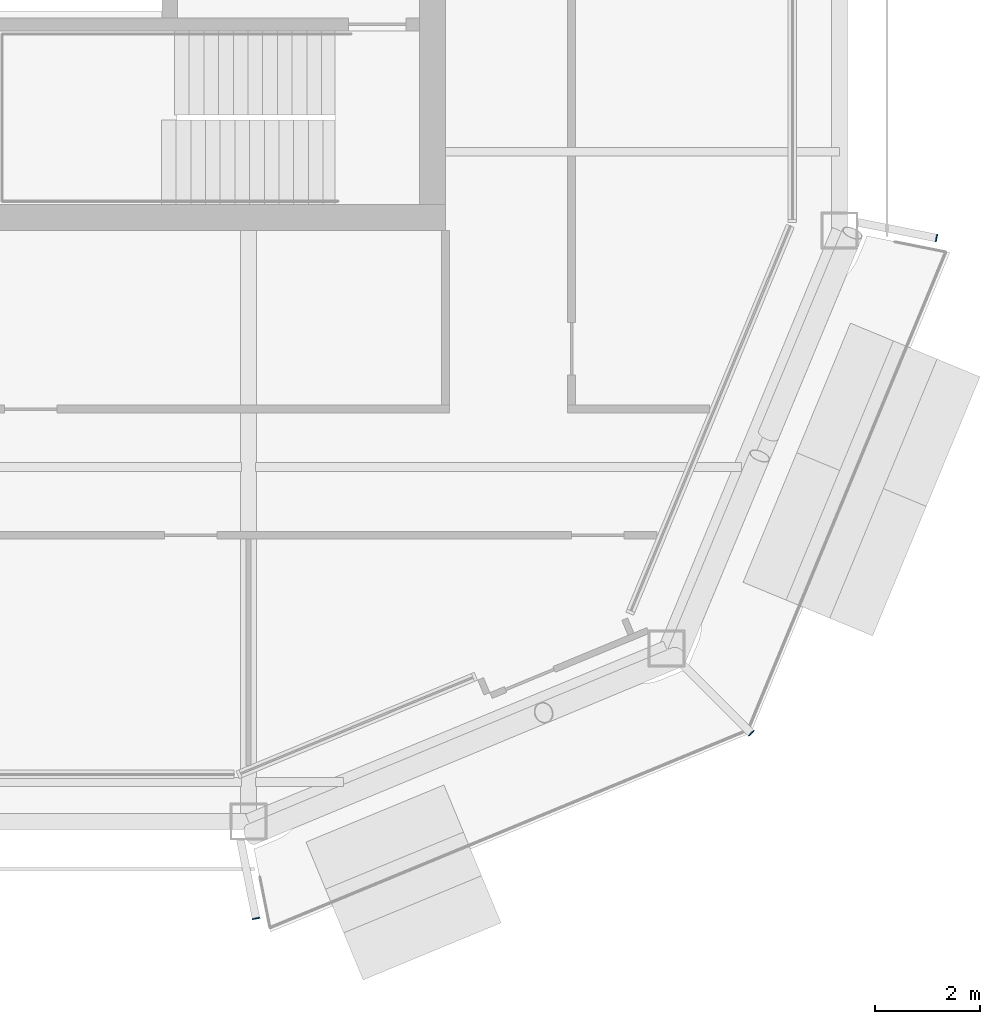
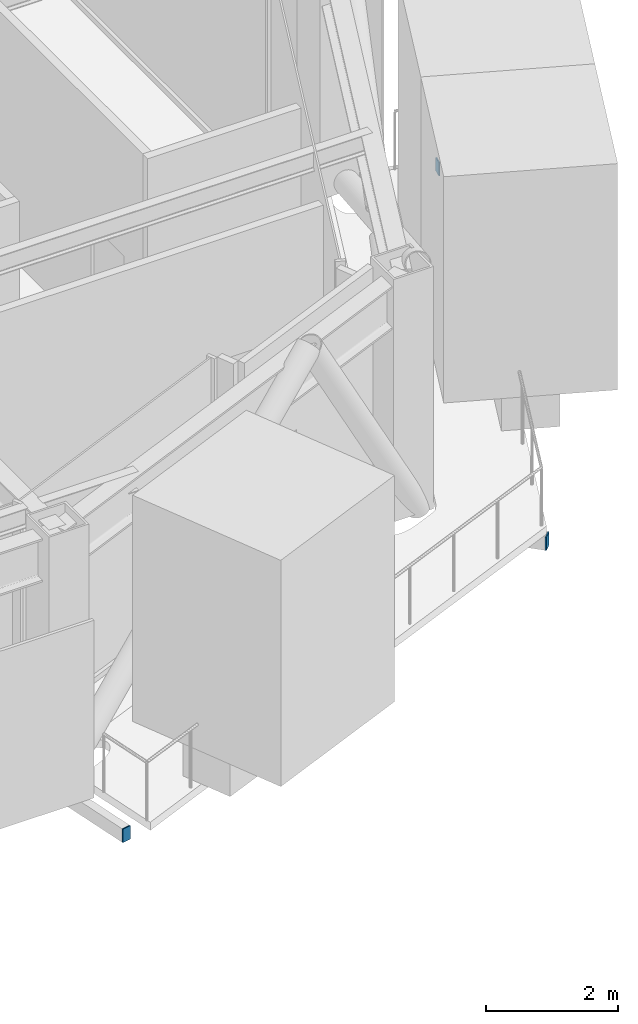
# One storey, part 15 of 21: 3 discrete accessories.
"""IFC4 building model written with IfcOpenShell, lengths in metres."""

from ifc_helpers import new_model, si_unit, direction, frame, origin, origin_2d, place, context, subcontext, project, spatial, rectangle, extrude, material, layer, layer_set, type_object, element, save


model = new_model("IFC4")

# Units and contexts
model_context = context("Model", 3, precision=1e-05, world=origin(), true_north=direction((0.0, 1.0)))
body_context = subcontext(model_context, "Body", "Model", "MODEL_VIEW")
ifc_project = project(units=[si_unit("LENGTHUNIT", "METRE"), si_unit("AREAUNIT", "SQUARE_METRE"), si_unit("VOLUMEUNIT", "CUBIC_METRE"), si_unit("PLANEANGLEUNIT", "RADIAN"), si_unit("MASSUNIT", "GRAM", prefix="KILO")], contexts=[model_context])

# Site, building, storey
site_placement = place(None, origin())
site = spatial("IfcSite", under=ifc_project, at=site_placement, CompositionType="ELEMENT")
building_placement = place(site_placement, origin())
building = spatial("IfcBuilding", under=site, at=building_placement, Name="Siwar Civic Tower", CompositionType="ELEMENT")
storey_placement = place(building_placement, frame((0.0, 0.0, 339.199951171875)))
storey = spatial("IfcBuildingStorey", under=building, at=storey_placement, Name="L73", CompositionType="ELEMENT", Elevation=339.199951171875)

# Discrete accessories
ifc_material = material(Name="Steel S355", Category="steel")
ifc_layer = layer(ifc_material, 0.02001953125)
ifc_layer_set = layer_set([ifc_layer], Name="Steel S355")
discrete_accessory_type = type_object("IfcDiscreteAccessoryType", Name="STR-END-CAP", PredefinedType="USERDEFINED", material=ifc_layer_set)
for number, where, z_axis, x_axis, name in (
    (1, (13.642578125, -26.5947265625, -0.39990234375), (0.0, 0.0, 1.0), (0.19509032205, -0.980785280396, 0.0), "End cap plate Balcony cantilever beam SE 1"),
    (2, (23.0693359375, -23.0693359375, -0.39990234375), (0.0, 0.0, 1.0), (0.707106781187, -0.707106781187, 0.0), "End cap plate Balcony cantilever beam SE 2"),
    (3, (26.5947265625, -13.642578125, -0.39990234375), (0.0, 0.0, 1.0), (0.980785280396, -0.19509032205, 0.0), "End cap plate Balcony cantilever beam SE 3"),
):
    element("IfcDiscreteAccessory", number, at=place(storey_placement, frame(where, z_axis=z_axis, x_axis=x_axis)), inside=storey, type_object=discrete_accessory_type, Name=name, ObjectType="END CAP PLATE", PredefinedType="USERDEFINED", context=body_context, shape_type="SweptSolid", body=[
        extrude(rectangle(XDim=0.02001953125, YDim=0.14990234375, at=origin_2d()), origin(), (0.0, 0.0, 1.0), 0.25),
    ])

save(model, "model.ifc")
